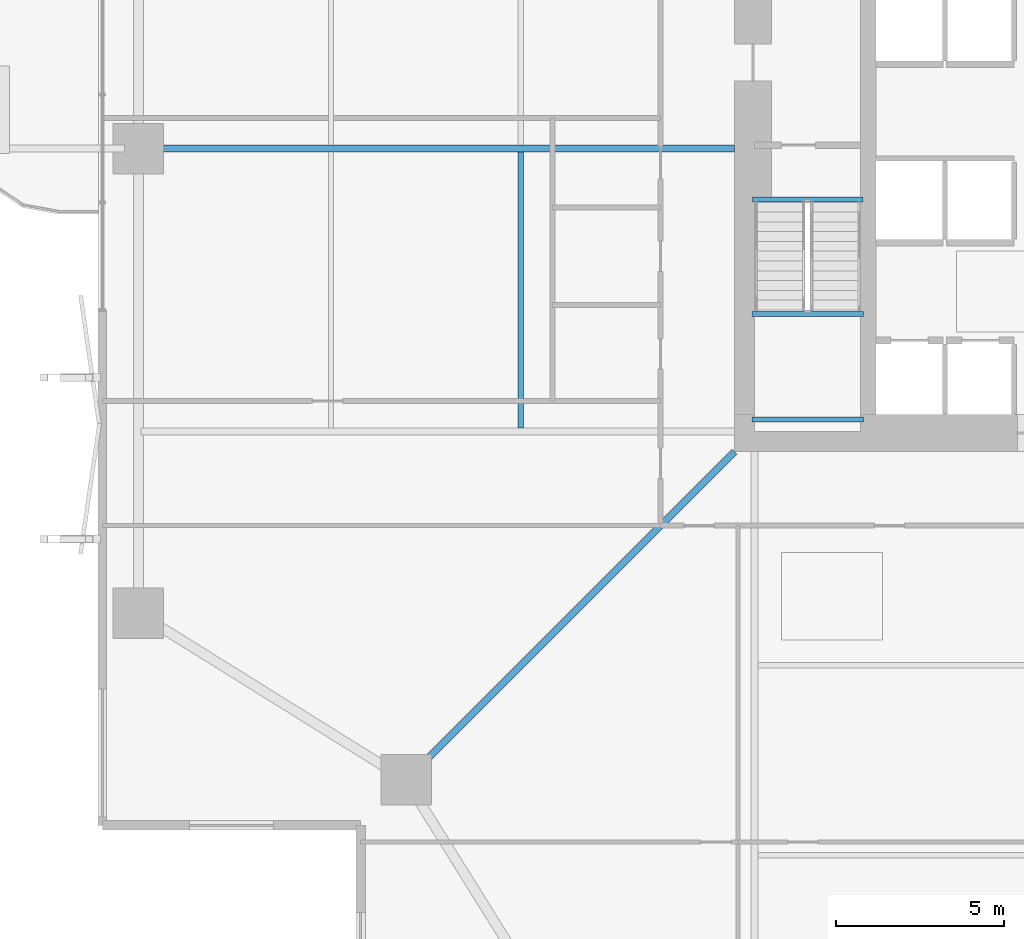
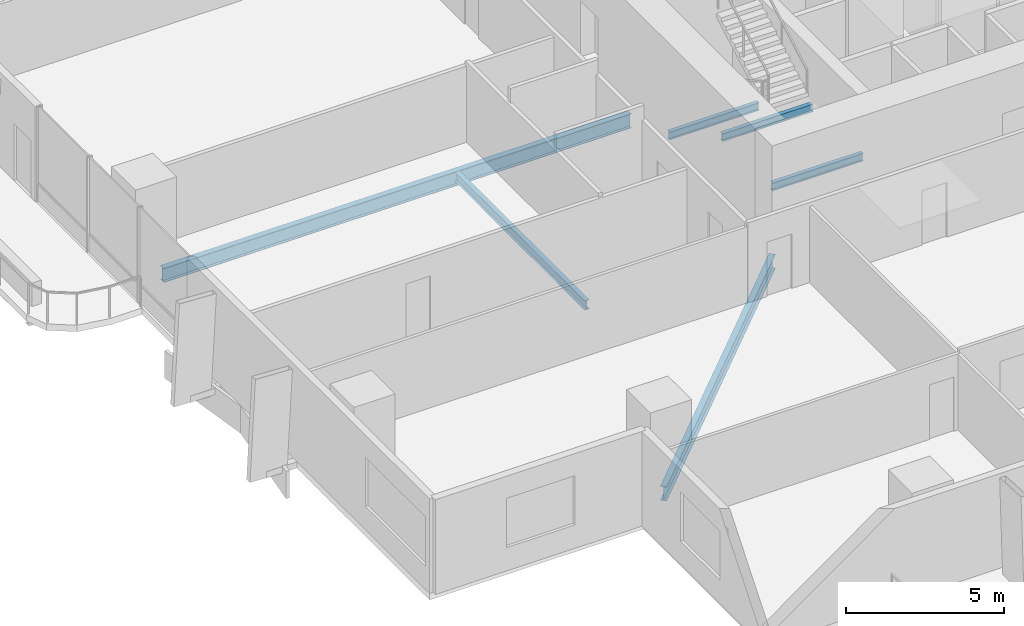
# One storey, part 5 of 23: 6 beams.
"""IFC4 building model written with IfcOpenShell, lengths in metres."""

from ifc_helpers import new_model, si_unit, direction, frame, origin, origin_2d, place, context, subcontext, project, spatial, i_section, extrude, material, material_profile, profile_set, type_object, element, save


model = new_model("IFC4")

# Units and contexts
model_context = context("Model", 3, precision=1e-05, world=origin(), true_north=direction((0.0, 1.0)))
body_context = subcontext(model_context, "Body", "Model", "MODEL_VIEW")
ifc_project = project(units=[si_unit("LENGTHUNIT", "METRE"), si_unit("AREAUNIT", "SQUARE_METRE"), si_unit("VOLUMEUNIT", "CUBIC_METRE"), si_unit("PLANEANGLEUNIT", "RADIAN"), si_unit("MASSUNIT", "GRAM", prefix="KILO")], contexts=[model_context])

# Site, building, storey
site_placement = place(None, origin())
site = spatial("IfcSite", under=ifc_project, at=site_placement, CompositionType="ELEMENT")
building_placement = place(site_placement, origin())
building = spatial("IfcBuilding", under=site, at=building_placement, Name="Belovzor Exchange Tower", CompositionType="ELEMENT")
storey_placement = place(building_placement, frame((0.0, 0.0, 76.800048828125)))
storey = spatial("IfcBuildingStorey", under=building, at=storey_placement, Name="L18", CompositionType="ELEMENT", Elevation=76.800048828125)

# Beams
ifc_material_1 = material(Name="Steel S355", Category="steel")
ifc_material_profile_1 = material_profile(ifc_material_1, i_section(OverallWidth=0.169921875, OverallDepth=0.360107421875, WebThickness=0.008056640625, FlangeThickness=0.0126953125, at=origin_2d()))
ifc_profile_set_1 = profile_set([ifc_material_profile_1], Name="Steel S355")
beam_type_1 = type_object("IfcBeamType", Name="Secondary Infill Floor Joist IPE 360", PredefinedType="BEAM", material=ifc_profile_set_1)
beam_1_placement = place(storey_placement, frame((13.455078125, 20.5048828125, -0.429931640625), z_axis=(0.0, 1.0, 0.0), x_axis=(-1.0, 0.0, 0.0)))
element("IfcBeam", 1, at=beam_1_placement, inside=storey, type_object=beam_type_1, Name="FJ-360 Secondary Infill Floor Joist IPE 360", PredefinedType="BEAM", context=body_context, shape_type="SweptSolid", body=[
    extrude(i_section(OverallWidth=0.169921875, OverallDepth=0.360107421875, WebThickness=0.008056640625, FlangeThickness=0.0126953125, at=origin_2d()), origin(), (0.0, 0.0, 1.0), 8.190185546875),
])
ifc_material_2 = material(Name="Steel S355", Category="steel")
ifc_material_profile_2 = material_profile(ifc_material_2, i_section(OverallWidth=0.14990234375, OverallDepth=0.300048828125, WebThickness=0.007080078125, FlangeThickness=0.0107421875, at=origin_2d()))
ifc_profile_set_2 = profile_set([ifc_material_profile_2], Name="Steel S355")
beam_type_2 = type_object("IfcBeamType", Name="Secondary Trim Floor Joist IPE 300", PredefinedType="BEAM", material=ifc_profile_set_2)
for number, where, z_axis, x_axis, name in (
    (2, (20.320068359375, 23.889892578125, 1.599853515625), (1.0, 0.0, 0.0), (0.0, 1.0, 0.0), "FJ-300 Secondary Trim Floor Joist IPE 300"),
    (3, (20.320068359375, 20.75, 1.599853515625), (1.0, 0.0, 0.0), (0.0, 1.0, 0.0), "FJ-300 Secondary Trim Floor Joist IPE 300"),
):
    element("IfcBeam", number, at=place(storey_placement, frame(where, z_axis=z_axis, x_axis=x_axis)), inside=storey, type_object=beam_type_2, Name=name, PredefinedType="BEAM", context=body_context, shape_type="SweptSolid", body=[
        extrude(i_section(OverallWidth=0.14990234375, OverallDepth=0.300048828125, WebThickness=0.007080078125, FlangeThickness=0.0107421875, at=origin_2d()), origin(), (0.0, 0.0, 1.0), 3.309814453125),
    ])
beam_2_placement = place(storey_placement, frame((20.340087890625, 27.280029296875, -0.400146484375), z_axis=(1.0, 0.0, 0.0), x_axis=(0.0, 1.0, 0.0)))
element("IfcBeam", 4, at=beam_2_placement, inside=storey, type_object=beam_type_2, Name="FJ-300 Secondary Trim Floor Joist IPE 300", PredefinedType="BEAM", context=body_context, shape_type="SweptSolid", body=[
    extrude(i_section(OverallWidth=0.14990234375, OverallDepth=0.300048828125, WebThickness=0.007080078125, FlangeThickness=0.0107421875, at=origin_2d()), origin(), (0.0, 0.0, 1.0), 3.27001953125),
])
ifc_material_3 = material(Name="Steel S355", Category="steel")
ifc_material_profile_3 = material_profile(ifc_material_3, i_section(OverallWidth=0.2099609375, OverallDepth=0.550048828125, WebThickness=0.010986328125, FlangeThickness=0.01708984375, at=origin_2d()))
ifc_profile_set_3 = profile_set([ifc_material_profile_3], Name="Steel S355")
beam_type_3 = type_object("IfcBeamType", Name="Zone 1 Radial Composite Floor Beam IPE 550", PredefinedType="BEAM", material=ifc_profile_set_3)
beam_3_placement = place(storey_placement, frame((19.800048828125, 28.800048828125, -0.525146484375), z_axis=(-1.0, 0.0, 0.0), x_axis=(0.0, -1.0, 0.0)))
element("IfcBeam", 5, at=beam_3_placement, inside=storey, type_object=beam_type_3, Name="FB-550 Zone 1 Radial Composite Floor Beam IPE 550", PredefinedType="BEAM", context=body_context, shape_type="SweptSolid", body=[
    extrude(i_section(OverallWidth=0.2099609375, OverallDepth=0.550048828125, WebThickness=0.010986328125, FlangeThickness=0.01708984375, at=origin_2d()), origin(), (0.0, 0.0, 1.0), 17.0400390625),
])
beam_4_placement = place(storey_placement, frame((19.800048828125, 19.800048828125, -0.525146484375), z_axis=(-0.707106781187, -0.707106781187, 0.0), x_axis=(0.707106781187, -0.707106781187, 0.0)))
element("IfcBeam", 6, at=beam_4_placement, inside=storey, type_object=beam_type_3, Name="FB-550 Zone 1 Radial Composite Floor Beam IPE 550", PredefinedType="BEAM", context=body_context, shape_type="SweptSolid", body=[
    extrude(i_section(OverallWidth=0.2099609375, OverallDepth=0.550048828125, WebThickness=0.010986328125, FlangeThickness=0.01708984375, at=origin_2d()), origin(), (0.0, 0.0, 1.0), 13.25830078125),
])

save(model, "model.ifc")
